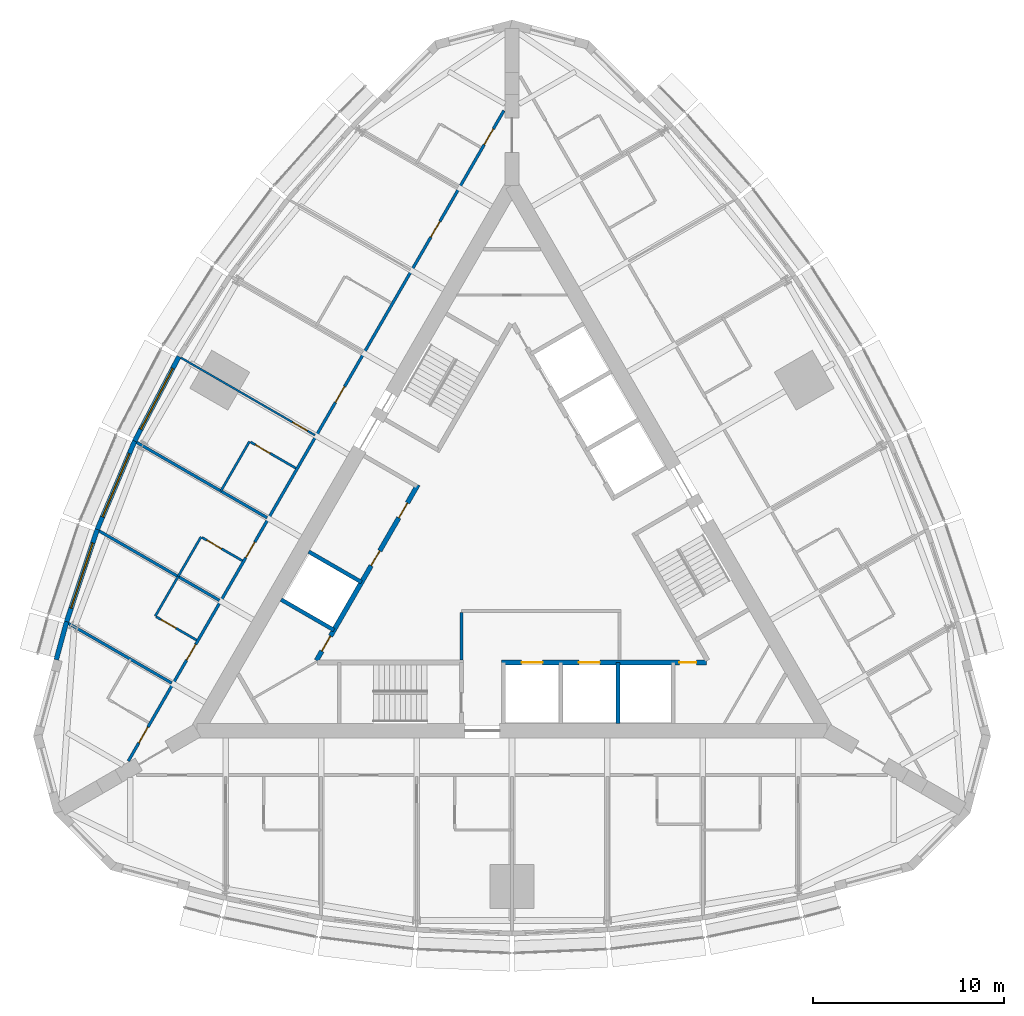
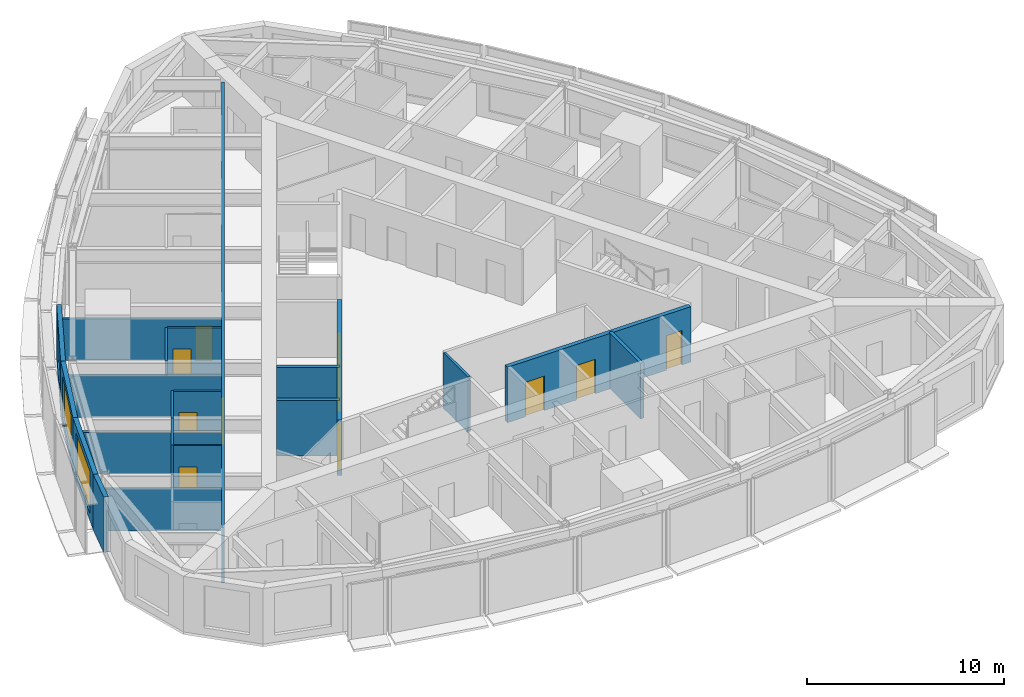
# One storey, part 10 of 15: 21 walls, 16 doors, 3 windows, 19 openings.
"""IFC4 building model written with IfcOpenShell, lengths in metres."""

from ifc_helpers import new_model, si_unit, direction, frame, frame_2d, origin, place, context, subcontext, project, spatial, rectangle, extrude, material, layer, layer_set, type_object, element, fill, save


model = new_model("IFC4")

# Units and contexts
model_context = context("Model", 3, precision=1e-05, world=origin(), true_north=direction((0.0, 1.0)))
body_context = subcontext(model_context, "Body", "Model", "MODEL_VIEW")
ifc_project = project(units=[si_unit("LENGTHUNIT", "METRE"), si_unit("AREAUNIT", "SQUARE_METRE"), si_unit("VOLUMEUNIT", "CUBIC_METRE"), si_unit("PLANEANGLEUNIT", "RADIAN"), si_unit("MASSUNIT", "GRAM", prefix="KILO")], contexts=[model_context])

# Site, building, storey
site_placement = place(None, origin())
site = spatial("IfcSite", under=ifc_project, at=site_placement, CompositionType="ELEMENT")
building_placement = place(site_placement, origin())
building = spatial("IfcBuilding", under=site, at=building_placement, Name="Trikona Tower", CompositionType="ELEMENT")
storey_placement = place(building_placement, frame((0.0, 0.0, 215.300048828125)))
storey = spatial("IfcBuildingStorey", under=building, at=storey_placement, Name="L57", CompositionType="ELEMENT", Elevation=215.300048828125)

# Wall
ifc_material_1 = material(Name="Metal stud and cement board", Category="gypsum")
ifc_layer_1 = layer(ifc_material_1, 0.1201171875)
ifc_layer_set_1 = layer_set([ifc_layer_1], Name="Bathroom wall 120")
wall_type_1 = type_object("IfcWallType", Name="Bathroom wall 120", PredefinedType="PLUMBINGWALL", material=ifc_layer_set_1)
wall_1_placement = place(storey_placement, frame((-13.75341796875, 5.631103515625, 0.0), z_axis=(0.0, 0.0, 1.0), x_axis=(-0.499990139034, -0.866031096941, 0.0)))
element("IfcWall", 1, at=wall_1_placement, inside=storey, type_object=wall_type_1, Name="Bathroom wall 5713.1", PredefinedType="PLUMBINGWALL", context=body_context, shape_type="SweptSolid", body=[
    extrude(rectangle(XDim=3.0, YDim=0.1201171875, at=frame_2d((1.5, 0.0))), origin(), (0.0, 0.0, 1.0), 3.43505859375),
])

# Wall, opening, door
wall_2_placement = place(storey_placement, frame((-11.32861328125, 4.231201171875, 0.0), z_axis=(0.0, 0.0, 1.0), x_axis=(-0.866035715982, 0.499982138324, 0.0)))
wall_2 = element("IfcWall", 2, at=wall_2_placement, inside=storey, type_object=wall_type_1, Name="Bathroom wall 5713.1", PredefinedType="PLUMBINGWALL", context=body_context, shape_type="SweptSolid", body=[
    extrude(rectangle(XDim=2.73974609375, YDim=0.1201171875, at=frame_2d((1.369873046875, 0.0))), origin(), (0.0, 0.0, 1.0), 3.43505859375),
])
opening_1_placement = place(wall_2_placement, frame((1.550048828125, 0.0, 0.0)))
opening_1 = element("IfcOpeningElement", 3, at=opening_1_placement, cuts=wall_2, Name="Opening D2", PredefinedType="OPENING", context=body_context, shape_type="SweptSolid", body=[
    extrude(rectangle(XDim=0.89990234375, YDim=2.1298828125, at=frame_2d((0.449951171875, 1.06494140625))), frame((0.0, 0.070068359375, 0.0), z_axis=(0.0, -1.0, 0.0), x_axis=(1.0, 0.0, 0.0)), (0.0, 0.0, 1.0), 0.14013671875),
])
ifc_material_2 = material(Name="Steel door frame with solid-core timber leaf", Category="steel")
door_type_1 = type_object("IfcDoorType", Name="Bathroom door 900x2130", OperationType="SLIDING_TO_LEFT", PredefinedType="DOOR", material=ifc_material_2)
door_1_placement = place(opening_1_placement, origin())
door_1 = element("IfcDoor", 4, at=door_1_placement, inside=storey, type_object=door_type_1, Name="Bathroom door 5713.1", OperationType="SLIDING_TO_LEFT", OverallHeight=2.1298828125, OverallWidth=0.89990234375, PredefinedType="DOOR", context=body_context, shape_type="SweptSolid", body=[
    extrude(rectangle(XDim=0.89990234375, YDim=2.1298828125, at=frame_2d((0.449951171875, 1.06494140625))), frame((0.0, 0.02490234375, 0.0), z_axis=(0.0, -1.0, 0.0), x_axis=(1.0, 0.0, 0.0)), (0.0, 0.0, 1.0), 0.050048828125),
])
fill(opening_1, door_1)

# Wall
wall_3_placement = place(storey_placement, frame((-16.29345703125, 0.63134765625, 0.0), z_axis=(0.0, 0.0, 1.0), x_axis=(-0.500001309137, -0.866024647952, 0.0)))
element("IfcWall", 5, at=wall_3_placement, inside=storey, type_object=wall_type_1, Name="Bathroom wall 5714", PredefinedType="PLUMBINGWALL", context=body_context, shape_type="SweptSolid", body=[
    extrude(rectangle(XDim=2.39990234375, YDim=0.1201171875, at=frame_2d((1.199951171875, 0.0))), origin(), (0.0, 0.0, 1.0), 3.43505859375),
])

# Wall, opening, door
wall_4_placement = place(storey_placement, frame((-14.12841796875, -0.61865234375, 0.0), z_axis=(0.0, 0.0, 1.0), x_axis=(-0.866048967903, 0.499959183527, 0.0)))
wall_4 = element("IfcWall", 6, at=wall_4_placement, inside=storey, type_object=wall_type_1, Name="Bathroom wall 5714", PredefinedType="PLUMBINGWALL", context=body_context, shape_type="SweptSolid", body=[
    extrude(rectangle(XDim=2.440185546875, YDim=0.1201171875, at=frame_2d((1.22021484375, 0.0))), origin(), (0.0, 0.0, 1.0), 3.43505859375),
])
opening_2_placement = place(wall_4_placement, frame((1.25, 0.0, 0.0)))
opening_2 = element("IfcOpeningElement", 7, at=opening_2_placement, cuts=wall_4, Name="Opening D2", PredefinedType="OPENING", context=body_context, shape_type="SweptSolid", body=[
    extrude(rectangle(XDim=0.89990234375, YDim=2.1298828125, at=frame_2d((0.449951171875, 1.06494140625))), frame((0.0, 0.070068359375, 0.0), z_axis=(0.0, -1.0, 0.0), x_axis=(1.0, 0.0, 0.0)), (0.0, 0.0, 1.0), 0.14013671875),
])
door_2_placement = place(opening_2_placement, origin())
door_2 = element("IfcDoor", 8, at=door_2_placement, inside=storey, type_object=door_type_1, Name="Bathroom door 5714", OperationType="SLIDING_TO_LEFT", OverallHeight=2.1298828125, OverallWidth=0.89990234375, PredefinedType="DOOR", context=body_context, shape_type="SweptSolid", body=[
    extrude(rectangle(XDim=0.89990234375, YDim=2.1298828125, at=frame_2d((0.449951171875, 1.06494140625))), frame((0.0, 0.02490234375, 0.0), z_axis=(0.0, -1.0, 0.0), x_axis=(1.0, 0.0, 0.0)), (0.0, 0.0, 1.0), 0.050048828125),
])
fill(opening_2, door_2)

# Wall
wall_5_placement = place(storey_placement, frame((-17.493408203125, -1.447021484375, 0.0), z_axis=(0.0, 0.0, 1.0), x_axis=(-0.500033551112, -0.866006032174, 0.0)))
element("IfcWall", 9, at=wall_5_placement, inside=storey, type_object=wall_type_1, Name="Bathroom wall 5715", PredefinedType="PLUMBINGWALL", context=body_context, shape_type="SweptSolid", body=[
    extrude(rectangle(XDim=2.400146484375, YDim=0.1201171875, at=frame_2d((1.2001953125, 0.0))), origin(), (0.0, 0.0, 1.0), 3.43505859375),
])

# Wall, opening, door
wall_6_placement = place(storey_placement, frame((-16.528564453125, -4.775634765625, 0.0), z_axis=(0.0, 0.0, 1.0), x_axis=(-0.866023955769, 0.500002508028, 0.0)))
wall_6 = element("IfcWall", 10, at=wall_6_placement, inside=storey, type_object=wall_type_1, Name="Bathroom wall 5715", PredefinedType="PLUMBINGWALL", context=body_context, shape_type="SweptSolid", body=[
    extrude(rectangle(XDim=2.43994140625, YDim=0.1201171875, at=frame_2d((1.219970703125, 0.0))), origin(), (0.0, 0.0, 1.0), 3.43505859375),
])
opening_3_placement = place(wall_6_placement, frame((1.25, 0.0, 0.0)))
opening_3 = element("IfcOpeningElement", 11, at=opening_3_placement, cuts=wall_6, Name="Opening D2", PredefinedType="OPENING", context=body_context, shape_type="SweptSolid", body=[
    extrude(rectangle(XDim=0.89990234375, YDim=2.1298828125, at=frame_2d((0.449951171875, 1.06494140625))), frame((0.0, 0.070068359375, 0.0), z_axis=(0.0, -1.0, 0.0), x_axis=(1.0, 0.0, 0.0)), (0.0, 0.0, 1.0), 0.14013671875),
])
door_3_placement = place(opening_3_placement, origin())
door_3 = element("IfcDoor", 12, at=door_3_placement, inside=storey, type_object=door_type_1, Name="Bathroom door 5715", OperationType="SLIDING_TO_LEFT", OverallHeight=2.1298828125, OverallWidth=0.89990234375, PredefinedType="DOOR", context=body_context, shape_type="SweptSolid", body=[
    extrude(rectangle(XDim=0.89990234375, YDim=2.1298828125, at=frame_2d((0.449951171875, 1.06494140625))), frame((0.0, 0.02490234375, 0.0), z_axis=(0.0, -1.0, 0.0), x_axis=(1.0, 0.0, 0.0)), (0.0, 0.0, 1.0), 0.050048828125),
])
fill(opening_3, door_3)

# Wall, openings, doors
ifc_material_3 = material(Name="Metal stud and gypsum board, 1-hour", Category="gypsum")
ifc_layer_2 = layer(ifc_material_3, 0.14990234375)
ifc_layer_set_2 = layer_set([ifc_layer_2], Name="Corridor wall 150")
wall_type_2 = type_object("IfcWallType", Name="Corridor wall 150", PredefinedType="PARTITIONING", material=ifc_layer_set_2)
wall_7_placement = place(storey_placement, frame((-0.425048828125, 22.96630859375, 0.0), z_axis=(0.0, 0.0, 1.0), x_axis=(-0.500000265775, -0.866025250339, 0.0)))
wall_7 = element("IfcWall", 13, at=wall_7_placement, inside=storey, type_object=wall_type_2, Name="Corridor wall L57-3", PredefinedType="PARTITIONING", context=body_context, shape_type="SweptSolid", body=[
    extrude(rectangle(XDim=39.35400390625, YDim=0.14990234375, at=frame_2d((19.677001953125, 0.0))), origin(), (0.0, 0.0, 1.0), 3.43505859375),
])
opening_4_placement = place(wall_7_placement, frame((1.10205078125, 0.0, 0.0)))
opening_4 = element("IfcOpeningElement", 14, at=opening_4_placement, cuts=wall_7, Name="Opening D1", PredefinedType="OPENING", context=body_context, shape_type="SweptSolid", body=[
    extrude(rectangle(XDim=0.949951171875, YDim=2.1298828125, at=frame_2d((0.47509765625, 1.06494140625))), frame((0.0, 0.0849609375, 0.0), z_axis=(0.0, -1.0, 0.0), x_axis=(1.0, 0.0, 0.0)), (0.0, 0.0, 1.0), 0.169921875),
])
opening_5_placement = place(wall_7_placement, frame((6.701904296875, 0.0, 0.0)))
opening_5 = element("IfcOpeningElement", 15, at=opening_5_placement, cuts=wall_7, Name="Opening D1", PredefinedType="OPENING", context=body_context, shape_type="SweptSolid", body=[
    extrude(rectangle(XDim=0.949951171875, YDim=2.1298828125, at=frame_2d((0.47509765625, 1.06494140625))), frame((0.0, 0.0849609375, 0.0), z_axis=(0.0, -1.0, 0.0), x_axis=(1.0, 0.0, 0.0)), (0.0, 0.0, 1.0), 0.169921875),
])
opening_6_placement = place(wall_7_placement, frame((16.701904296875, 0.0, 0.0)))
opening_6 = element("IfcOpeningElement", 16, at=opening_6_placement, cuts=wall_7, Name="Opening D1", PredefinedType="OPENING", context=body_context, shape_type="SweptSolid", body=[
    extrude(rectangle(XDim=0.949951171875, YDim=2.1298828125, at=frame_2d((0.47509765625, 1.06494140625))), frame((0.0, 0.0849609375, 0.0), z_axis=(0.0, -1.0, 0.0), x_axis=(1.0, 0.0, 0.0)), (0.0, 0.0, 1.0), 0.169921875),
])
opening_7_placement = place(wall_7_placement, frame((26.10205078125, 0.0, 0.0)))
opening_7 = element("IfcOpeningElement", 17, at=opening_7_placement, cuts=wall_7, Name="Opening D1", PredefinedType="OPENING", context=body_context, shape_type="SweptSolid", body=[
    extrude(rectangle(XDim=0.949951171875, YDim=2.1298828125, at=frame_2d((0.47509765625, 1.06494140625))), frame((0.0, 0.0849609375, 0.0), z_axis=(0.0, -1.0, 0.0), x_axis=(1.0, 0.0, 0.0)), (0.0, 0.0, 1.0), 0.169921875),
])
opening_8_placement = place(wall_7_placement, frame((32.302001953125, 0.0, 0.0)))
opening_8 = element("IfcOpeningElement", 18, at=opening_8_placement, cuts=wall_7, Name="Opening D1", PredefinedType="OPENING", context=body_context, shape_type="SweptSolid", body=[
    extrude(rectangle(XDim=0.949951171875, YDim=2.1298828125, at=frame_2d((0.47509765625, 1.06494140625))), frame((0.0, 0.0849609375, 0.0), z_axis=(0.0, -1.0, 0.0), x_axis=(1.0, 0.0, 0.0)), (0.0, 0.0, 1.0), 0.169921875),
])
opening_9_placement = place(wall_7_placement, frame((37.302001953125, 0.0, 0.0)))
opening_9 = element("IfcOpeningElement", 19, at=opening_9_placement, cuts=wall_7, Name="Opening D1", PredefinedType="OPENING", context=body_context, shape_type="SweptSolid", body=[
    extrude(rectangle(XDim=0.949951171875, YDim=2.1298828125, at=frame_2d((0.47509765625, 1.06494140625))), frame((0.0, 0.0849609375, 0.0), z_axis=(0.0, -1.0, 0.0), x_axis=(1.0, 0.0, 0.0)), (0.0, 0.0, 1.0), 0.169921875),
])
ifc_material_4 = material(Name="Steel door frame with solid-core timber leaf", Category="steel")
door_type_2 = type_object("IfcDoorType", Name="Guest room door 950x2130", OperationType="SINGLE_SWING_LEFT", PredefinedType="DOOR", material=ifc_material_4)
door_4_placement = place(opening_4_placement, origin())
door_4 = element("IfcDoor", 20, at=door_4_placement, inside=storey, type_object=door_type_2, Name="Room door 5711", OperationType="SINGLE_SWING_LEFT", OverallHeight=2.1298828125, OverallWidth=0.949951171875, PredefinedType="DOOR", context=body_context, shape_type="SweptSolid", body=[
    extrude(rectangle(XDim=0.949951171875, YDim=2.1298828125, at=frame_2d((0.47509765625, 1.06494140625))), frame((0.0, 0.02490234375, 0.0), z_axis=(0.0, -1.0, 0.0), x_axis=(1.0, 0.0, 0.0)), (0.0, 0.0, 1.0), 0.050048828125),
])
fill(opening_4, door_4)
door_5_placement = place(opening_5_placement, origin())
door_5 = element("IfcDoor", 21, at=door_5_placement, inside=storey, type_object=door_type_2, Name="Room door 5712", OperationType="SINGLE_SWING_RIGHT", OverallHeight=2.1298828125, OverallWidth=0.949951171875, PredefinedType="DOOR", context=body_context, shape_type="SweptSolid", body=[
    extrude(rectangle(XDim=0.949951171875, YDim=2.1298828125, at=frame_2d((0.47509765625, 1.06494140625))), frame((0.0, 0.02490234375, 0.0), z_axis=(0.0, -1.0, 0.0), x_axis=(1.0, 0.0, 0.0)), (0.0, 0.0, 1.0), 0.050048828125),
])
fill(opening_5, door_5)
door_6_placement = place(opening_6_placement, origin())
door_6 = element("IfcDoor", 22, at=door_6_placement, inside=storey, type_object=door_type_2, Name="Room door 5713", OperationType="SINGLE_SWING_LEFT", OverallHeight=2.1298828125, OverallWidth=0.949951171875, PredefinedType="DOOR", context=body_context, shape_type="SweptSolid", body=[
    extrude(rectangle(XDim=0.949951171875, YDim=2.1298828125, at=frame_2d((0.47509765625, 1.06494140625))), frame((0.0, 0.02490234375, 0.0), z_axis=(0.0, -1.0, 0.0), x_axis=(1.0, 0.0, 0.0)), (0.0, 0.0, 1.0), 0.050048828125),
])
fill(opening_6, door_6)
door_7_placement = place(opening_7_placement, origin())
door_7 = element("IfcDoor", 23, at=door_7_placement, inside=storey, type_object=door_type_2, Name="Room door 5714", OperationType="SINGLE_SWING_RIGHT", OverallHeight=2.1298828125, OverallWidth=0.949951171875, PredefinedType="DOOR", context=body_context, shape_type="SweptSolid", body=[
    extrude(rectangle(XDim=0.949951171875, YDim=2.1298828125, at=frame_2d((0.47509765625, 1.06494140625))), frame((0.0, 0.02490234375, 0.0), z_axis=(0.0, -1.0, 0.0), x_axis=(1.0, 0.0, 0.0)), (0.0, 0.0, 1.0), 0.050048828125),
])
fill(opening_7, door_7)
door_8_placement = place(opening_8_placement, origin())
door_8 = element("IfcDoor", 24, at=door_8_placement, inside=storey, type_object=door_type_2, Name="Room door 5715", OperationType="SINGLE_SWING_LEFT", OverallHeight=2.1298828125, OverallWidth=0.949951171875, PredefinedType="DOOR", context=body_context, shape_type="SweptSolid", body=[
    extrude(rectangle(XDim=0.949951171875, YDim=2.1298828125, at=frame_2d((0.47509765625, 1.06494140625))), frame((0.0, 0.02490234375, 0.0), z_axis=(0.0, -1.0, 0.0), x_axis=(1.0, 0.0, 0.0)), (0.0, 0.0, 1.0), 0.050048828125),
])
fill(opening_8, door_8)
door_9_placement = place(opening_9_placement, origin())
door_9 = element("IfcDoor", 25, at=door_9_placement, inside=storey, type_object=door_type_2, Name="Room door 5716", OperationType="SINGLE_SWING_RIGHT", OverallHeight=2.1298828125, OverallWidth=0.949951171875, PredefinedType="DOOR", context=body_context, shape_type="SweptSolid", body=[
    extrude(rectangle(XDim=0.949951171875, YDim=2.1298828125, at=frame_2d((0.47509765625, 1.06494140625))), frame((0.0, 0.02490234375, 0.0), z_axis=(0.0, -1.0, 0.0), x_axis=(1.0, 0.0, 0.0)), (0.0, 0.0, 1.0), 0.050048828125),
])
fill(opening_9, door_9)

ifc_material_5 = material(Name="Concrete f'c 8000 psi", Category="concrete")
ifc_layer_3 = layer(ifc_material_5, 0.25)
ifc_layer_set_3 = layer_set([ifc_layer_3], Name="Hub wall 250")
wall_type_3 = type_object("IfcWallType", Name="Hub wall 250", PredefinedType="SOLIDWALL", material=ifc_layer_set_3)
wall_8_placement = place(storey_placement, frame((-0.550048828125, -5.951416015625, 0.0), z_axis=(0.0, 0.0, 1.0), x_axis=(1.0, 0.0, 0.0)))
wall_8 = element("IfcWall", 26, at=wall_8_placement, inside=storey, type_object=wall_type_3, Name="Lift lobby wall A2", PredefinedType="SOLIDWALL", context=body_context, shape_type="SweptSolid", body=[
    extrude(rectangle(XDim=10.73291015625, YDim=0.25, at=frame_2d((5.366455078125, 0.0))), origin(), (0.0, 0.0, 1.0), 3.43505859375),
])
opening_10_placement = place(wall_8_placement, frame((9.31396484375, 0.0, 0.0)))
opening_10 = element("IfcOpeningElement", 27, at=opening_10_placement, cuts=wall_8, Name="Opening D14", PredefinedType="OPENING", context=body_context, shape_type="SweptSolid", body=[
    extrude(rectangle(XDim=0.89990234375, YDim=2.1298828125, at=frame_2d((0.449951171875, 1.06494140625))), frame((0.0, 0.135009765625, 0.0), z_axis=(0.0, -1.0, 0.0), x_axis=(1.0, 0.0, 0.0)), (0.0, 0.0, 1.0), 0.27001953125),
])
opening_11_placement = place(wall_8_placement, frame((1.050048828125, 0.0, 0.0)))
opening_11 = element("IfcOpeningElement", 28, at=opening_11_placement, cuts=wall_8, Name="Opening LD", PredefinedType="OPENING", context=body_context, shape_type="SweptSolid", body=[
    extrude(rectangle(XDim=1.10009765625, YDim=2.1298828125, at=frame_2d((0.550048828125, 1.06494140625))), frame((0.0, 0.135009765625, 0.0), z_axis=(0.0, -1.0, 0.0), x_axis=(1.0, 0.0, 0.0)), (0.0, 0.0, 1.0), 0.27001953125),
])
opening_12_placement = place(wall_8_placement, frame((4.050048828125, 0.0, 0.0)))
opening_12 = element("IfcOpeningElement", 29, at=opening_12_placement, cuts=wall_8, Name="Opening LD", PredefinedType="OPENING", context=body_context, shape_type="SweptSolid", body=[
    extrude(rectangle(XDim=1.10009765625, YDim=2.1298828125, at=frame_2d((0.550048828125, 1.06494140625))), frame((0.0, 0.135009765625, 0.0), z_axis=(0.0, -1.0, 0.0), x_axis=(1.0, 0.0, 0.0)), (0.0, 0.0, 1.0), 0.27001953125),
])
ifc_material_6 = material(Name="Stainless steel lift landing door", Category="steel")
door_type_3 = type_object("IfcDoorType", Name="Lift landing door 1100x2130", OperationType="DOUBLE_DOOR_SLIDING", PredefinedType="USERDEFINED", material=ifc_material_6)
door_10_placement = place(opening_11_placement, origin())
door_10 = element("IfcDoor", 30, at=door_10_placement, inside=storey, type_object=door_type_3, Name="Lift landing door FF1", ObjectType="LIFT LANDING DOOR", OperationType="DOUBLE_DOOR_SLIDING", OverallHeight=2.1298828125, OverallWidth=1.10009765625, PredefinedType="USERDEFINED", context=body_context, shape_type="SweptSolid", body=[
    extrude(rectangle(XDim=1.10009765625, YDim=2.1298828125, at=frame_2d((0.550048828125, 1.06494140625))), frame((0.0, 0.02490234375, 0.0), z_axis=(0.0, -1.0, 0.0), x_axis=(1.0, 0.0, 0.0)), (0.0, 0.0, 1.0), 0.050048828125),
])
fill(opening_11, door_10)
door_11_placement = place(opening_12_placement, origin())
door_11 = element("IfcDoor", 31, at=door_11_placement, inside=storey, type_object=door_type_3, Name="Lift landing door FF2", ObjectType="LIFT LANDING DOOR", OperationType="DOUBLE_DOOR_SLIDING", OverallHeight=2.1298828125, OverallWidth=1.10009765625, PredefinedType="USERDEFINED", context=body_context, shape_type="SweptSolid", body=[
    extrude(rectangle(XDim=1.10009765625, YDim=2.1298828125, at=frame_2d((0.550048828125, 1.06494140625))), frame((0.0, 0.02490234375, 0.0), z_axis=(0.0, -1.0, 0.0), x_axis=(1.0, 0.0, 0.0)), (0.0, 0.0, 1.0), 0.050048828125),
])
fill(opening_12, door_11)
ifc_material_7 = material(Name="Hollow metal door and frame", Category="steel")
door_type_4 = type_object("IfcDoorType", Name="Service room door 900x2130", OperationType="SINGLE_SWING_LEFT", PredefinedType="DOOR", material=ifc_material_7)
door_12_placement = place(opening_10_placement, origin())
door_12 = element("IfcDoor", 32, at=door_12_placement, inside=storey, type_object=door_type_4, Name="Door Housekeeping store HKS", OperationType="SINGLE_SWING_RIGHT", OverallHeight=2.1298828125, OverallWidth=0.89990234375, PredefinedType="DOOR", context=body_context, shape_type="SweptSolid", body=[
    extrude(rectangle(XDim=0.89990234375, YDim=2.1298828125, at=frame_2d((0.449951171875, 1.06494140625))), frame((0.0, 0.02490234375, 0.0), z_axis=(0.0, -1.0, 0.0), x_axis=(1.0, 0.0, 0.0)), (0.0, 0.0, 1.0), 0.050048828125),
])
fill(opening_10, door_12)

wall_9_placement = place(storey_placement, frame((-4.928955078125, 3.365478515625, 0.0), z_axis=(0.0, 0.0, 1.0), x_axis=(-0.499991433582, -0.866030349552, 0.0)))
wall_9 = element("IfcWall", 33, at=wall_9_placement, inside=storey, type_object=wall_type_3, Name="Lift lobby wall C2", PredefinedType="SOLIDWALL", context=body_context, shape_type="SweptSolid", body=[
    extrude(rectangle(XDim=10.633056640625, YDim=0.25, at=frame_2d((5.31640625, 0.0))), origin(), (0.0, 0.0, 1.0), 3.43505859375),
])
opening_13_placement = place(wall_9_placement, frame((9.1640625, 0.0, 0.0)))
opening_13 = element("IfcOpeningElement", 34, at=opening_13_placement, cuts=wall_9, Name="Opening D14", PredefinedType="OPENING", context=body_context, shape_type="SweptSolid", body=[
    extrude(rectangle(XDim=0.89990234375, YDim=2.1298828125, at=frame_2d((0.449951171875, 1.06494140625))), frame((0.0, 0.135009765625, 0.0), z_axis=(0.0, -1.0, 0.0), x_axis=(1.0, 0.0, 0.0)), (0.0, 0.0, 1.0), 0.27001953125),
])
opening_14_placement = place(wall_9_placement, frame((1.10009765625, 0.0, 0.0)))
opening_14 = element("IfcOpeningElement", 35, at=opening_14_placement, cuts=wall_9, Name="Opening D14", PredefinedType="OPENING", context=body_context, shape_type="SweptSolid", body=[
    extrude(rectangle(XDim=0.89990234375, YDim=2.1298828125, at=frame_2d((0.449951171875, 1.06494140625))), frame((0.0, 0.135009765625, 0.0), z_axis=(0.0, -1.0, 0.0), x_axis=(1.0, 0.0, 0.0)), (0.0, 0.0, 1.0), 0.27001953125),
])
opening_15_placement = place(wall_9_placement, frame((4.0, 0.0, 0.0)))
opening_15 = element("IfcOpeningElement", 36, at=opening_15_placement, cuts=wall_9, Name="Opening D14", PredefinedType="OPENING", context=body_context, shape_type="SweptSolid", body=[
    extrude(rectangle(XDim=0.89990234375, YDim=2.1298828125, at=frame_2d((0.449951171875, 1.06494140625))), frame((0.0, 0.135009765625, 0.0), z_axis=(0.0, -1.0, 0.0), x_axis=(1.0, 0.0, 0.0)), (0.0, 0.0, 1.0), 0.27001953125),
])
door_13_placement = place(opening_13_placement, origin())
door_13 = element("IfcDoor", 37, at=door_13_placement, inside=storey, type_object=door_type_4, Name="Door Ice and vending ICE", OperationType="SINGLE_SWING_RIGHT", OverallHeight=2.1298828125, OverallWidth=0.89990234375, PredefinedType="DOOR", context=body_context, shape_type="SweptSolid", body=[
    extrude(rectangle(XDim=0.89990234375, YDim=2.1298828125, at=frame_2d((0.449951171875, 1.06494140625))), frame((0.0, 0.02490234375, 0.0), z_axis=(0.0, -1.0, 0.0), x_axis=(1.0, 0.0, 0.0)), (0.0, 0.0, 1.0), 0.050048828125),
])
fill(opening_13, door_13)
door_14_placement = place(opening_14_placement, origin())
door_14 = element("IfcDoor", 38, at=door_14_placement, inside=storey, type_object=door_type_4, Name="Door Staff WC STW1", OperationType="SINGLE_SWING_LEFT", OverallHeight=2.1298828125, OverallWidth=0.89990234375, PredefinedType="DOOR", context=body_context, shape_type="SweptSolid", body=[
    extrude(rectangle(XDim=0.89990234375, YDim=2.1298828125, at=frame_2d((0.449951171875, 1.06494140625))), frame((0.0, 0.02490234375, 0.0), z_axis=(0.0, -1.0, 0.0), x_axis=(1.0, 0.0, 0.0)), (0.0, 0.0, 1.0), 0.050048828125),
])
fill(opening_14, door_14)
door_15_placement = place(opening_15_placement, origin())
door_15 = element("IfcDoor", 39, at=door_15_placement, inside=storey, type_object=door_type_4, Name="Door Staff WC STW1", OperationType="SINGLE_SWING_RIGHT", OverallHeight=2.1298828125, OverallWidth=0.89990234375, PredefinedType="DOOR", context=body_context, shape_type="SweptSolid", body=[
    extrude(rectangle(XDim=0.89990234375, YDim=2.1298828125, at=frame_2d((0.449951171875, 1.06494140625))), frame((0.0, 0.02490234375, 0.0), z_axis=(0.0, -1.0, 0.0), x_axis=(1.0, 0.0, 0.0)), (0.0, 0.0, 1.0), 0.050048828125),
])
fill(opening_15, door_15)

# Wall, opening, window
ifc_material_8 = material(Name="Insulated precast concrete spandrel panel", Category="concrete")
ifc_layer_4 = layer(ifc_material_8, 0.25)
ifc_layer_set_4 = layer_set([ifc_layer_4], Name="Inner skin wall 250")
wall_type_4 = type_object("IfcWallType", Name="Inner skin wall 250", PredefinedType="STANDARD", material=ifc_layer_set_4)
wall_10_placement = place(storey_placement, frame((-17.450439453125, 10.080810546875, 0.0), z_axis=(0.0, 0.0, 1.0), x_axis=(-0.463976002579, -0.885847768542, 0.0)))
wall_10 = element("IfcWall", 40, at=wall_10_placement, inside=storey, type_object=wall_type_4, Name="External wall L57-28", PredefinedType="STANDARD", context=body_context, shape_type="SweptSolid", body=[
    extrude(rectangle(XDim=5.004150390625, YDim=0.25, at=frame_2d((2.501953125, 0.0))), origin(), (0.0, 0.0, 1.0), 3.43505859375),
])
opening_16_placement = place(wall_10_placement, frame((0.7021484375, 0.0, 0.449951171875)))
opening_16 = element("IfcOpeningElement", 41, at=opening_16_placement, cuts=wall_10, Name="Opening W3626", PredefinedType="OPENING", context=body_context, shape_type="SweptSolid", body=[
    extrude(rectangle(XDim=3.60009765625, YDim=2.60009765625, at=frame_2d((1.800048828125, 1.300048828125))), frame((0.0, 0.135009765625, 0.0), z_axis=(0.0, -1.0, 0.0), x_axis=(1.0, 0.0, 0.0)), (0.0, 0.0, 1.0), 0.27001953125),
])
ifc_material_9 = material(Name="Aluminium-framed double glazing", Category="aluminium")
window_type = type_object("IfcWindowType", Name="Window 3600x2600", PartitioningType="SINGLE_PANEL", PredefinedType="WINDOW", material=ifc_material_9)
window_1_placement = place(opening_16_placement, origin())
window_1 = element("IfcWindow", 42, at=window_1_placement, inside=storey, type_object=window_type, Name="Window 5713.1", OverallHeight=2.60009765625, OverallWidth=3.60009765625, PartitioningType="SINGLE_PANEL", PredefinedType="WINDOW", context=body_context, shape_type="SweptSolid", body=[
    extrude(rectangle(XDim=3.60009765625, YDim=2.60009765625, at=frame_2d((1.800048828125, 1.300048828125))), frame((0.0, 0.030029296875, 0.0), z_axis=(0.0, -1.0, 0.0), x_axis=(1.0, 0.0, 0.0)), (0.0, 0.0, 1.0), 0.06005859375),
])
fill(opening_16, window_1)

wall_11_placement = place(storey_placement, frame((-19.767578125, 5.656982421875, 0.0), z_axis=(0.0, 0.0, 1.0), x_axis=(-0.390096809471, -0.920773848044, 0.0)))
wall_11 = element("IfcWall", 43, at=wall_11_placement, inside=storey, type_object=wall_type_4, Name="External wall L57-29", PredefinedType="STANDARD", context=body_context, shape_type="SweptSolid", body=[
    extrude(rectangle(XDim=5.0380859375, YDim=0.25, at=frame_2d((2.51904296875, 0.0))), origin(), (0.0, 0.0, 1.0), 3.43505859375),
])
opening_17_placement = place(wall_11_placement, frame((0.718994140625, 0.0, 0.449951171875)))
opening_17 = element("IfcOpeningElement", 44, at=opening_17_placement, cuts=wall_11, Name="Opening W3626", PredefinedType="OPENING", context=body_context, shape_type="SweptSolid", body=[
    extrude(rectangle(XDim=3.60009765625, YDim=2.60009765625, at=frame_2d((1.800048828125, 1.300048828125))), frame((0.0, 0.135009765625, 0.0), z_axis=(0.0, -1.0, 0.0), x_axis=(1.0, 0.0, 0.0)), (0.0, 0.0, 1.0), 0.27001953125),
])
window_2_placement = place(opening_17_placement, origin())
window_2 = element("IfcWindow", 45, at=window_2_placement, inside=storey, type_object=window_type, Name="Window 5714", OverallHeight=2.60009765625, OverallWidth=3.60009765625, PartitioningType="SINGLE_PANEL", PredefinedType="WINDOW", context=body_context, shape_type="SweptSolid", body=[
    extrude(rectangle(XDim=3.60009765625, YDim=2.60009765625, at=frame_2d((1.800048828125, 1.300048828125))), frame((0.0, 0.030029296875, 0.0), z_axis=(0.0, -1.0, 0.0), x_axis=(1.0, 0.0, 0.0)), (0.0, 0.0, 1.0), 0.06005859375),
])
fill(opening_17, window_2)

wall_12_placement = place(storey_placement, frame((-21.729248046875, 1.027587890625, 0.0), z_axis=(0.0, 0.0, 1.0), x_axis=(-0.315108478109, -0.949055660656, 0.0)))
wall_12 = element("IfcWall", 46, at=wall_12_placement, inside=storey, type_object=wall_type_4, Name="External wall L57-30", PredefinedType="STANDARD", context=body_context, shape_type="SweptSolid", body=[
    extrude(rectangle(XDim=5.10498046875, YDim=0.25, at=frame_2d((2.552490234375, 0.0))), origin(), (0.0, 0.0, 1.0), 3.43505859375),
])
opening_18_placement = place(wall_12_placement, frame((0.75244140625, 0.0, 0.449951171875)))
opening_18 = element("IfcOpeningElement", 47, at=opening_18_placement, cuts=wall_12, Name="Opening W3626", PredefinedType="OPENING", context=body_context, shape_type="SweptSolid", body=[
    extrude(rectangle(XDim=3.60009765625, YDim=2.60009765625, at=frame_2d((1.800048828125, 1.300048828125))), frame((0.0, 0.135009765625, 0.0), z_axis=(0.0, -1.0, 0.0), x_axis=(1.0, 0.0, 0.0)), (0.0, 0.0, 1.0), 0.27001953125),
])
window_3_placement = place(opening_18_placement, origin())
window_3 = element("IfcWindow", 48, at=window_3_placement, inside=storey, type_object=window_type, Name="Window 5715", OverallHeight=2.60009765625, OverallWidth=3.60009765625, PartitioningType="SINGLE_PANEL", PredefinedType="WINDOW", context=body_context, shape_type="SweptSolid", body=[
    extrude(rectangle(XDim=3.60009765625, YDim=2.60009765625, at=frame_2d((1.800048828125, 1.300048828125))), frame((0.0, 0.030029296875, 0.0), z_axis=(0.0, -1.0, 0.0), x_axis=(1.0, 0.0, 0.0)), (0.0, 0.0, 1.0), 0.06005859375),
])
fill(opening_18, window_3)

# Walls
wall_13_placement = place(storey_placement, frame((-23.335693359375, -3.810791015625, 0.0), z_axis=(0.0, 0.0, 1.0), x_axis=(-0.262867703986, -0.964831887015, 0.0)))
element("IfcWall", 49, at=wall_13_placement, inside=storey, type_object=wall_type_4, Name="External wall L57-31", PredefinedType="STANDARD", context=body_context, shape_type="SweptSolid", body=[
    extrude(rectangle(XDim=2.068359375, YDim=0.25, at=frame_2d((1.0341796875, 0.0))), origin(), (0.0, 0.0, 1.0), 3.43505859375),
])
ifc_material_10 = material(Name="Metal stud and gypsum board, 2-hour shaft wall", Category="gypsum")
ifc_layer_5 = layer(ifc_material_10, 0.14990234375)
ifc_layer_set_5 = layer_set([ifc_layer_5], Name="Lobby wall 150")
wall_type_5 = type_object("IfcWallType", Name="Lobby wall 150", PredefinedType="PARTITIONING", material=ifc_layer_set_5)
wall_14_placement = place(storey_placement, frame((-2.64990234375, -5.826416015625, 0.0), z_axis=(0.0, 0.0, 1.0), x_axis=(0.0, 1.0, 0.0)))
element("IfcWall", 50, at=wall_14_placement, inside=storey, type_object=wall_type_5, Name="Fire service lift lobby wall 2", PredefinedType="PARTITIONING", context=body_context, shape_type="SweptSolid", body=[
    extrude(rectangle(XDim=2.5, YDim=0.14990234375, at=frame_2d((1.25, 0.0))), origin(), (0.0, 0.0, 1.0), 3.43505859375),
])
ifc_material_11 = material(Name="Metal stud and gypsum board, 1-hour acoustic", Category="gypsum")
ifc_layer_6 = layer(ifc_material_11, 0.14990234375)
ifc_layer_set_6 = layer_set([ifc_layer_6], Name="Party wall 150")
wall_type_6 = type_object("IfcWallType", Name="Party wall 150", PredefinedType="PARTITIONING", material=ifc_layer_set_6)
wall_15_placement = place(storey_placement, frame((-12.82861328125, 1.633056640625, 0.0), z_axis=(0.0, 0.0, 1.0), x_axis=(-0.866030558329, 0.49999107196, 0.0)))
element("IfcWall", 51, at=wall_15_placement, inside=storey, type_object=wall_type_6, Name="Partition L57 F3 u5", PredefinedType="PARTITIONING", context=body_context, shape_type="SweptSolid", body=[
    extrude(rectangle(XDim=7.893798828125, YDim=0.14990234375, at=frame_2d((3.94677734375, 0.0))), origin(), (0.0, 0.0, 1.0), 2.589111328125),
])
wall_16_placement = place(storey_placement, frame((-15.32861328125, -2.697021484375, 0.0), z_axis=(0.0, 0.0, 1.0), x_axis=(-0.866032413668, 0.499987858329, 0.0)))
element("IfcWall", 52, at=wall_16_placement, inside=storey, type_object=wall_type_6, Name="Partition L57 F3 u10", PredefinedType="PARTITIONING", context=body_context, shape_type="SweptSolid", body=[
    extrude(rectangle(XDim=7.272705078125, YDim=0.14990234375, at=frame_2d((3.63623046875, 0.0))), origin(), (0.0, 0.0, 1.0), 2.589111328125),
])
wall_17_placement = place(storey_placement, frame((-17.82861328125, -7.027099609375, 0.0), z_axis=(0.0, 0.0, 1.0), x_axis=(-0.866026604282, 0.499997920671, 0.0)))
element("IfcWall", 53, at=wall_17_placement, inside=storey, type_object=wall_type_6, Name="Partition L57 F3 u15", PredefinedType="PARTITIONING", context=body_context, shape_type="SweptSolid", body=[
    extrude(rectangle(XDim=6.23974609375, YDim=0.14990234375, at=frame_2d((3.119873046875, 0.0))), origin(), (0.0, 0.0, 1.0), 2.589111328125),
])
ifc_material_12 = material(Name="Concrete f'c 8000 psi", Category="concrete")
ifc_layer_7 = layer(ifc_material_12, 0.199951171875)
ifc_layer_set_7 = layer_set([ifc_layer_7], Name="Shaft wall 200")
wall_type_7 = type_object("IfcWallType", Name="Shaft wall 200", PredefinedType="SOLIDWALL", material=ifc_layer_set_7)
for number, where, z_axis, x_axis, name in (
    (54, (5.550048828125, -5.951416015625, 0.0), (0.0, 0.0, 1.0), (0.0, -1.0, 0.0), "Shaft wall A5"),
    (55, (-7.87890625, -1.744140625, 0.0), (0.0, 0.0, 1.0), (-0.866042017984, 0.499971222258, 0.0), "Shaft wall C5"),
):
    element("IfcWall", number, at=place(storey_placement, frame(where, z_axis=z_axis, x_axis=x_axis)), inside=storey, type_object=wall_type_7, Name=name, PredefinedType="SOLIDWALL", context=body_context, shape_type="SweptSolid", body=[
        extrude(rectangle(XDim=3.199951171875, YDim=0.199951171875, at=frame_2d((1.60009765625, 0.0))), origin(), (0.0, 0.0, 1.0), 3.43505859375),
    ])
wall_18_placement = place(storey_placement, frame((-9.3291015625, -4.255615234375, 0.0), z_axis=(0.0, 0.0, 1.0), x_axis=(-0.866022944154, 0.50000426018, 0.0)))
element("IfcWall", 56, at=wall_18_placement, inside=storey, type_object=wall_type_7, Name="Shaft wall C6", PredefinedType="SOLIDWALL", context=body_context, shape_type="SweptSolid", body=[
    extrude(rectangle(XDim=3.19970703125, YDim=0.199951171875, at=frame_2d((1.599853515625, 0.0))), origin(), (0.0, 0.0, 1.0), 3.43505859375),
])

# Wall, opening, door
ifc_material_13 = material(Name="Metal stud and gypsum board, acoustic", Category="gypsum")
ifc_layer_8 = layer(ifc_material_13, 0.10009765625)
ifc_layer_set_8 = layer_set([ifc_layer_8], Name="Suite partition 100")
wall_type_8 = type_object("IfcWallType", Name="Suite partition 100", PredefinedType="PARTITIONING", material=ifc_layer_set_8)
wall_19_placement = place(storey_placement, frame((-10.32861328125, 5.963134765625, 0.0), z_axis=(0.0, 0.0, 1.0), x_axis=(-0.866016460812, 0.500015489362, 0.0)))
wall_19 = element("IfcWall", 57, at=wall_19_placement, inside=storey, type_object=wall_type_8, Name="Suite partition L57 F3 u0", PredefinedType="PARTITIONING", context=body_context, shape_type="SweptSolid", body=[
    extrude(rectangle(XDim=8.101318359375, YDim=0.10009765625, at=frame_2d((4.05078125, 0.0))), origin(), (0.0, 0.0, 1.0), 2.589111328125),
])
opening_19_placement = place(wall_19_placement, frame((0.449951171875, 0.0, 0.0)))
opening_19 = element("IfcOpeningElement", 58, at=opening_19_placement, cuts=wall_19, Name="Opening D13", PredefinedType="OPENING", context=body_context, shape_type="SweptSolid", body=[
    extrude(rectangle(XDim=0.89990234375, YDim=2.1298828125, at=frame_2d((0.449951171875, 1.06494140625))), frame((0.0, 0.06005859375, 0.0), z_axis=(0.0, -1.0, 0.0), x_axis=(1.0, 0.0, 0.0)), (0.0, 0.0, 1.0), 0.1201171875),
])
ifc_material_14 = material(Name="Steel door frame with solid-core timber leaf", Category="steel")
door_type_5 = type_object("IfcDoorType", Name="Suite door 900x2130", OperationType="SINGLE_SWING_LEFT", PredefinedType="DOOR", material=ifc_material_14)
door_16_placement = place(opening_19_placement, origin())
door_16 = element("IfcDoor", 59, at=door_16_placement, inside=storey, type_object=door_type_5, Name="Suite door 5713", OperationType="SINGLE_SWING_LEFT", OverallHeight=2.1298828125, OverallWidth=0.89990234375, PredefinedType="DOOR", context=body_context, shape_type="SweptSolid", body=[
    extrude(rectangle(XDim=0.89990234375, YDim=2.1298828125, at=frame_2d((0.449951171875, 1.06494140625))), frame((0.0, 0.02490234375, 0.0), z_axis=(0.0, -1.0, 0.0), x_axis=(1.0, 0.0, 0.0)), (0.0, 0.0, 1.0), 0.050048828125),
])
fill(opening_19, door_16)

save(model, "model.ifc")
